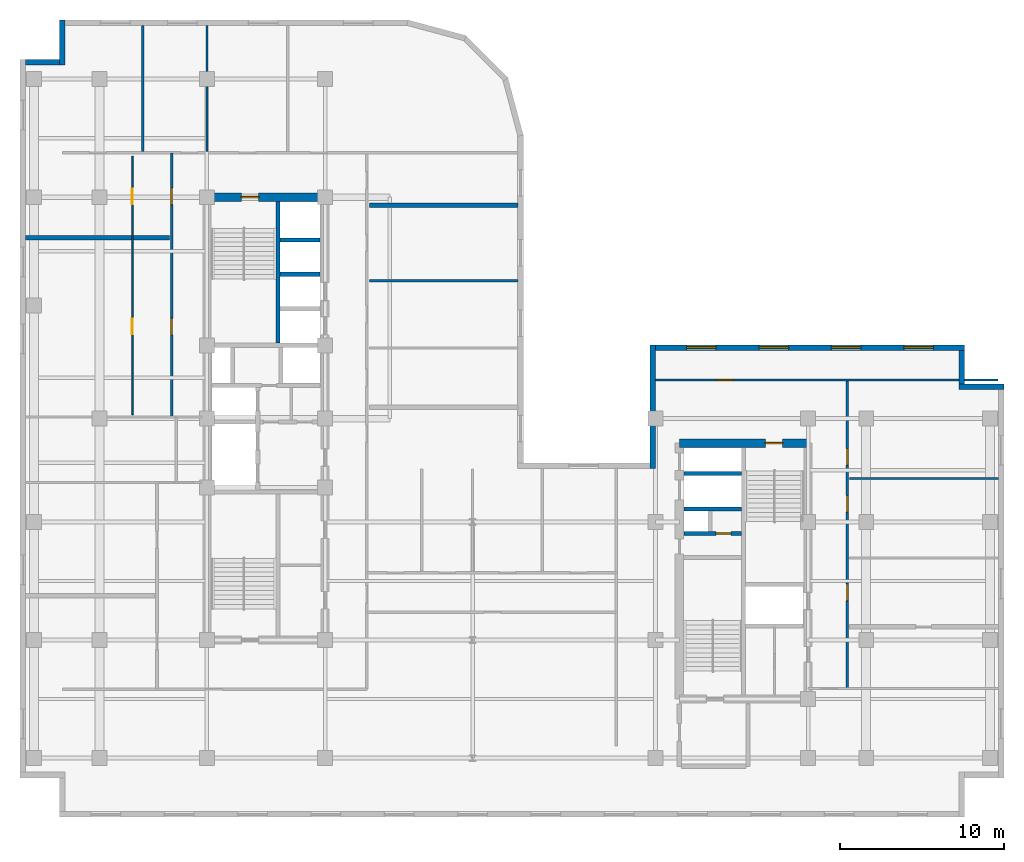
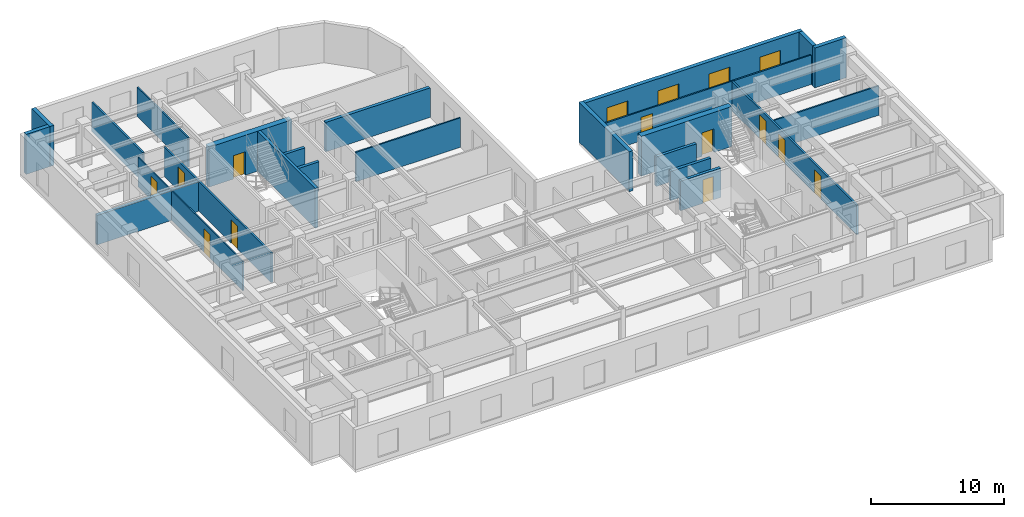
# One storey, part 7 of 11: 24 walls, 11 doors, 4 windows, 15 openings.
"""IFC4 building model written with IfcOpenShell, lengths in metres."""

from ifc_helpers import new_model, entity, si_unit, converted_unit, direction, frame, origin_with_axes, origin_2d_with_axis, place, context, subcontext, project, spatial, polyline, rectangle, outline, extrude, material, layer, layer_set, type_object, element, fill, save


model = new_model("IFC4")

# Units and contexts
model_context = context("Model", 3, precision=1e-05, world=origin_with_axes(), true_north=direction((0.0, 1.0)))
body_context = subcontext(model_context, "Body", "Model", "MODEL_VIEW")
ifc_project = project(units=[si_unit("LENGTHUNIT", "METRE"), si_unit("AREAUNIT", "SQUARE_METRE"), si_unit("VOLUMEUNIT", "CUBIC_METRE"), converted_unit("PLANEANGLEUNIT", "DEGREE", entity("IfcPlaneAngleMeasure", 0.017453292519943295), si_unit("PLANEANGLEUNIT", "RADIAN"), dimensions=[0, 0, 0, 0, 0, 0, 0]), si_unit("MASSUNIT", "GRAM", prefix="KILO"), si_unit("THERMODYNAMICTEMPERATUREUNIT", "KELVIN")], contexts=[model_context])

# Site, building, storey
site_placement = place(None, origin_with_axes())
site = spatial("IfcSite", under=ifc_project, at=site_placement, CompositionType="ELEMENT")
building_placement = place(site_placement, origin_with_axes())
building = spatial("IfcBuilding", under=site, at=building_placement, Name="Varnlund Millrace Tower", CompositionType="ELEMENT")
storey_placement = place(building_placement, frame((0.0, 0.0, 208.2), z_axis=(0.0, 0.0, 1.0), x_axis=(1.0, 0.0, 0.0)))
storey = spatial("IfcBuildingStorey", under=building, at=storey_placement, Name="L51", CompositionType="ELEMENT", Elevation=208.2)

# Wall, opening, door
ifc_material_1 = material(Name="Concrete C70/85", Category="concrete")
ifc_layer_1 = layer(ifc_material_1, 0.5, Name="Concrete C70/85")
ifc_layer_set_1 = layer_set([ifc_layer_1], Name="Concrete C70/85")
wall_type_1 = type_object("IfcWallType", Name="Type-CoreWall-Shear-500-C70", PredefinedType="SHEAR", material=ifc_layer_set_1)
wall_1_placement = place(storey_placement, frame((11.4, 37.8, 0.0), z_axis=(0.0, 0.0, 1.0), x_axis=(1.0, 0.0, 0.0)))
wall_1 = element("IfcWall", 1, at=wall_1_placement, inside=storey, type_object=wall_type_1, Name="Type-CoreWall-Shear-500-C70", PredefinedType="SHEAR", context=body_context, shape_type="SweptSolid", body=[
    extrude(outline(polyline([(0.0, -0.25), (7.2, -0.25), (7.2, 0.25), (0.0, 0.25), (0.0, -0.25)])), origin_with_axes(), (0.0, 0.0, 1.0), 3.66),
])
opening_1_placement = place(wall_1_placement, frame((2.625, 0.0, 0.0), z_axis=(0.0, 0.0, 1.0), x_axis=(1.0, 0.0, 0.0)))
opening_1 = element("IfcOpeningElement", 2, at=opening_1_placement, cuts=wall_1, Name="Opening L51:DR-STA2", PredefinedType="OPENING", context=body_context, shape_type="SweptSolid", body=[
    extrude(rectangle(XDim=1.05, YDim=0.52, at=origin_2d_with_axis()), origin_with_axes(), (0.0, 0.0, 1.0), 2.15),
])
ifc_material_2 = material(Name="Fire-rated hollow steel door", Category="steel")
door_type_1 = type_object("IfcDoorType", Name="Type-FireDoor-Stair-1050X2150", OperationType="NOTDEFINED", PredefinedType="DOOR", material=ifc_material_2)
door_1_placement = place(wall_1_placement, frame((2.625, 0.0, 0.0), z_axis=(0.0, 0.0, 1.0), x_axis=(1.0, 0.0, 0.0)))
door_1 = element("IfcDoor", 3, at=door_1_placement, inside=storey, type_object=door_type_1, Name="Type-FireDoor-Stair-1050X2150", OperationType="SINGLE_SWING_RIGHT", OverallHeight=2.15, OverallWidth=1.05, PredefinedType="DOOR", context=body_context, shape_type="SweptSolid", body=[
    extrude(rectangle(XDim=1.05, YDim=0.09, at=origin_2d_with_axis()), origin_with_axes(), (0.0, 0.0, 1.0), 2.15),
])
fill(opening_1, door_1)

wall_2_placement = place(storey_placement, frame((40.2, 22.8, 0.0), z_axis=(0.0, 0.0, 1.0), x_axis=(1.0, 0.0, 0.0)))
wall_2 = element("IfcWall", 4, at=wall_2_placement, inside=storey, type_object=wall_type_1, Name="Type-CoreWall-Shear-500-C70", PredefinedType="SHEAR", context=body_context, shape_type="SweptSolid", body=[
    extrude(outline(polyline([(0.0, -0.25), (7.85, -0.25), (7.85, 0.25), (0.0, 0.25), (0.0, -0.25)])), origin_with_axes(), (0.0, 0.0, 1.0), 3.66),
])
opening_2_placement = place(wall_2_placement, frame((5.775, 0.0, 0.0), z_axis=(0.0, 0.0, 1.0), x_axis=(1.0, 0.0, 0.0)))
opening_2 = element("IfcOpeningElement", 5, at=opening_2_placement, cuts=wall_2, Name="Opening L51:DR-STB2", PredefinedType="OPENING", context=body_context, shape_type="SweptSolid", body=[
    extrude(rectangle(XDim=1.05, YDim=0.52, at=origin_2d_with_axis()), origin_with_axes(), (0.0, 0.0, 1.0), 2.15),
])
door_2_placement = place(wall_2_placement, frame((5.775, 0.0, 0.0), z_axis=(0.0, 0.0, 1.0), x_axis=(1.0, 0.0, 0.0)))
door_2 = element("IfcDoor", 6, at=door_2_placement, inside=storey, type_object=door_type_1, Name="Type-FireDoor-Stair-1050X2150", OperationType="SINGLE_SWING_RIGHT", OverallHeight=2.15, OverallWidth=1.05, PredefinedType="DOOR", context=body_context, shape_type="SweptSolid", body=[
    extrude(rectangle(XDim=1.05, YDim=0.09, at=origin_2d_with_axis()), origin_with_axes(), (0.0, 0.0, 1.0), 2.15),
])
fill(opening_2, door_2)

# Wall
ifc_material_3 = material(Name="Precast concrete C50/60", Category="concrete")
ifc_layer_2 = layer(ifc_material_3, 0.34, Name="Precast concrete C50/60")
ifc_layer_set_2 = layer_set([ifc_layer_2], Name="Precast concrete C50/60")
wall_type_2 = type_object("IfcWallType", Name="Type-ExtWall-Precast-Upper-340", PredefinedType="SOLIDWALL", material=ifc_layer_set_2)
wall_3_placement = place(storey_placement, frame((38.57, 21.26, 0.0), z_axis=(0.0, 0.0, 1.0), x_axis=(0.0, 1.0, 0.0)))
element("IfcWall", 7, at=wall_3_placement, inside=storey, type_object=wall_type_2, Name="Type-ExtWall-Precast-Upper-340", PredefinedType="SOLIDWALL", context=body_context, shape_type="SweptSolid", body=[
    extrude(outline(polyline([(0.0, -0.17), (7.54, -0.17), (7.54, 0.17), (0.0, 0.17), (0.0, -0.17)])), origin_with_axes(), (0.0, 0.0, 1.0), 3.66),
])

# Wall, openings, windows
wall_4_placement = place(storey_placement, frame((38.74, 28.63, 0.0), z_axis=(0.0, 0.0, 1.0), x_axis=(1.0, 0.0, 0.0)))
wall_4 = element("IfcWall", 8, at=wall_4_placement, inside=storey, type_object=wall_type_2, Name="Type-ExtWall-Precast-Upper-340", PredefinedType="SOLIDWALL", context=body_context, shape_type="SweptSolid", body=[
    extrude(outline(polyline([(0.0, -0.17), (18.86, -0.17), (18.86, 0.17), (0.0, 0.17), (0.0, -0.17)])), origin_with_axes(), (0.0, 0.0, 1.0), 3.66),
])
opening_3_placement = place(wall_4_placement, frame((2.808, 0.0, 0.45), z_axis=(0.0, 0.0, 1.0), x_axis=(1.0, 0.0, 0.0)))
opening_3 = element("IfcOpeningElement", 9, at=opening_3_placement, cuts=wall_4, Name="Opening L51:WN-01", PredefinedType="OPENING", context=body_context, shape_type="SweptSolid", body=[
    extrude(rectangle(XDim=1.8, YDim=0.36, at=origin_2d_with_axis()), origin_with_axes(), (0.0, 0.0, 1.0), 2.1),
])
opening_4_placement = place(wall_4_placement, frame((7.222, 0.0, 0.45), z_axis=(0.0, 0.0, 1.0), x_axis=(1.0, 0.0, 0.0)))
opening_4 = element("IfcOpeningElement", 10, at=opening_4_placement, cuts=wall_4, Name="Opening L51:WN-02", PredefinedType="OPENING", context=body_context, shape_type="SweptSolid", body=[
    extrude(rectangle(XDim=1.8, YDim=0.36, at=origin_2d_with_axis()), origin_with_axes(), (0.0, 0.0, 1.0), 2.1),
])
opening_5_placement = place(wall_4_placement, frame((11.637, 0.0, 0.45), z_axis=(0.0, 0.0, 1.0), x_axis=(1.0, 0.0, 0.0)))
opening_5 = element("IfcOpeningElement", 11, at=opening_5_placement, cuts=wall_4, Name="Opening L51:WN-03", PredefinedType="OPENING", context=body_context, shape_type="SweptSolid", body=[
    extrude(rectangle(XDim=1.8, YDim=0.36, at=origin_2d_with_axis()), origin_with_axes(), (0.0, 0.0, 1.0), 2.1),
])
opening_6_placement = place(wall_4_placement, frame((16.053, 0.0, 0.45), z_axis=(0.0, 0.0, 1.0), x_axis=(1.0, 0.0, 0.0)))
opening_6 = element("IfcOpeningElement", 12, at=opening_6_placement, cuts=wall_4, Name="Opening L51:WN-04", PredefinedType="OPENING", context=body_context, shape_type="SweptSolid", body=[
    extrude(rectangle(XDim=1.8, YDim=0.36, at=origin_2d_with_axis()), origin_with_axes(), (0.0, 0.0, 1.0), 2.1),
])
ifc_material_4 = material(Name="Argon low-e triple glazing in thermally broken bronze frame", Category="glass")
window_type = type_object("IfcWindowType", Name="Type-Window-Punched-1800X2100", PartitioningType="SINGLE_PANEL", PredefinedType="WINDOW", material=ifc_material_4)
window_1_placement = place(wall_4_placement, frame((2.808, 0.0, 0.45), z_axis=(0.0, 0.0, 1.0), x_axis=(1.0, 0.0, 0.0)))
window_1 = element("IfcWindow", 13, at=window_1_placement, inside=storey, type_object=window_type, Name="Type-Window-Punched-1800X2100", OverallHeight=2.1, OverallWidth=1.8, PredefinedType="WINDOW", context=body_context, shape_type="SweptSolid", body=[
    extrude(rectangle(XDim=1.8, YDim=0.09, at=origin_2d_with_axis()), origin_with_axes(), (0.0, 0.0, 1.0), 2.1),
])
fill(opening_3, window_1)
window_2_placement = place(wall_4_placement, frame((7.222, 0.0, 0.45), z_axis=(0.0, 0.0, 1.0), x_axis=(1.0, 0.0, 0.0)))
window_2 = element("IfcWindow", 14, at=window_2_placement, inside=storey, type_object=window_type, Name="Type-Window-Punched-1800X2100", OverallHeight=2.1, OverallWidth=1.8, PredefinedType="WINDOW", context=body_context, shape_type="SweptSolid", body=[
    extrude(rectangle(XDim=1.8, YDim=0.09, at=origin_2d_with_axis()), origin_with_axes(), (0.0, 0.0, 1.0), 2.1),
])
fill(opening_4, window_2)
window_3_placement = place(wall_4_placement, frame((11.637, 0.0, 0.45), z_axis=(0.0, 0.0, 1.0), x_axis=(1.0, 0.0, 0.0)))
window_3 = element("IfcWindow", 15, at=window_3_placement, inside=storey, type_object=window_type, Name="Type-Window-Punched-1800X2100", OverallHeight=2.1, OverallWidth=1.8, PredefinedType="WINDOW", context=body_context, shape_type="SweptSolid", body=[
    extrude(rectangle(XDim=1.8, YDim=0.09, at=origin_2d_with_axis()), origin_with_axes(), (0.0, 0.0, 1.0), 2.1),
])
fill(opening_5, window_3)
window_4_placement = place(wall_4_placement, frame((16.053, 0.0, 0.45), z_axis=(0.0, 0.0, 1.0), x_axis=(1.0, 0.0, 0.0)))
window_4 = element("IfcWindow", 16, at=window_4_placement, inside=storey, type_object=window_type, Name="Type-Window-Punched-1800X2100", OverallHeight=2.1, OverallWidth=1.8, PredefinedType="WINDOW", context=body_context, shape_type="SweptSolid", body=[
    extrude(rectangle(XDim=1.8, YDim=0.09, at=origin_2d_with_axis()), origin_with_axes(), (0.0, 0.0, 1.0), 2.1),
])
fill(opening_6, window_4)

# Walls
wall_5_placement = place(storey_placement, frame((57.43, 28.46, 0.0), z_axis=(0.0, 0.0, 1.0), x_axis=(0.0, -1.0, 0.0)))
element("IfcWall", 17, at=wall_5_placement, inside=storey, type_object=wall_type_2, Name="Type-ExtWall-Precast-Upper-340", PredefinedType="SOLIDWALL", context=body_context, shape_type="SweptSolid", body=[
    extrude(outline(polyline([(0.0, -0.17), (2.06, -0.17), (2.06, 0.17), (0.0, 0.17), (0.0, -0.17)])), origin_with_axes(), (0.0, 0.0, 1.0), 3.66),
])
wall_6_placement = place(storey_placement, frame((57.26, 26.23, 0.0), z_axis=(0.0, 0.0, 1.0), x_axis=(1.0, 0.0, 0.0)))
element("IfcWall", 18, at=wall_6_placement, inside=storey, type_object=wall_type_2, Name="Type-ExtWall-Precast-Upper-340", PredefinedType="SOLIDWALL", context=body_context, shape_type="SweptSolid", body=[
    extrude(outline(polyline([(0.0, -0.17), (2.74, -0.17), (2.74, 0.17), (0.0, 0.17), (0.0, -0.17)])), origin_with_axes(), (0.0, 0.0, 1.0), 3.66),
])
wall_7_placement = place(storey_placement, frame((0.34, 46.03, 0.0), z_axis=(0.0, 0.0, 1.0), x_axis=(1.0, 0.0, 0.0)))
element("IfcWall", 19, at=wall_7_placement, inside=storey, type_object=wall_type_2, Name="Type-ExtWall-Precast-Upper-340", PredefinedType="SOLIDWALL", context=body_context, shape_type="SweptSolid", body=[
    extrude(outline(polyline([(0.0, -0.17), (2.06, -0.17), (2.06, 0.17), (0.0, 0.17), (0.0, -0.17)])), origin_with_axes(), (0.0, 0.0, 1.0), 3.66),
])
wall_8_placement = place(storey_placement, frame((2.57, 45.86, 0.0), z_axis=(0.0, 0.0, 1.0), x_axis=(0.0, 1.0, 0.0)))
element("IfcWall", 20, at=wall_8_placement, inside=storey, type_object=wall_type_2, Name="Type-ExtWall-Precast-Upper-340", PredefinedType="SOLIDWALL", context=body_context, shape_type="SweptSolid", body=[
    extrude(outline(polyline([(0.0, -0.17), (2.74, -0.17), (2.74, 0.17), (0.0, 0.17), (0.0, -0.17)])), origin_with_axes(), (0.0, 0.0, 1.0), 3.66),
])
ifc_material_5 = material(Name="Double-stud STC-60 conference acoustic partition", Category="gypsum")
ifc_layer_3 = layer(ifc_material_5, 0.28, Name="Double-stud STC-60 conference acoustic partition")
ifc_layer_set_3 = layer_set([ifc_layer_3], Name="Double-stud STC-60 conference acoustic partition")
wall_type_3 = type_object("IfcWallType", Name="Type-Partition-Acoustic-280", PredefinedType="PARTITIONING", material=ifc_layer_set_3)
wall_9_placement = place(storey_placement, frame((0.335, 35.34, 0.0), z_axis=(0.0, 0.0, 1.0), x_axis=(1.0, 0.0, 0.0)))
element("IfcWall", 21, at=wall_9_placement, inside=storey, type_object=wall_type_3, Name="Type-Partition-Acoustic-280", PredefinedType="PARTITIONING", context=body_context, shape_type="SweptSolid", body=[
    extrude(outline(polyline([(0.0, -0.14), (8.795, -0.14), (8.795, 0.14), (0.0, 0.14), (0.0, -0.14)])), origin_with_axes(), (0.0, 0.0, 1.0), 2.7),
])
wall_10_placement = place(storey_placement, frame((21.3, 37.311, 0.0), z_axis=(0.0, 0.0, 1.0), x_axis=(1.0, 0.0, 0.0)))
element("IfcWall", 22, at=wall_10_placement, inside=storey, type_object=wall_type_3, Name="Type-Partition-Acoustic-280", PredefinedType="PARTITIONING", context=body_context, shape_type="SweptSolid", body=[
    extrude(outline(polyline([(0.0, -0.14), (9.051, -0.14), (9.051, 0.14), (0.0, 0.14), (0.0, -0.14)])), origin_with_axes(), (0.0, 0.0, 1.0), 2.7),
])

# Wall, openings, doors
ifc_material_6 = material(Name="Fire-rated gypsum board on cold-formed steel framing", Category="steel")
ifc_layer_4 = layer(ifc_material_6, 0.16, Name="Fire-rated gypsum board on cold-formed steel framing")
ifc_layer_set_4 = layer_set([ifc_layer_4], Name="Fire-rated gypsum board on cold-formed steel framing")
wall_type_4 = type_object("IfcWallType", Name="Type-Partition-Corridor-160", PredefinedType="PARTITIONING", material=ifc_layer_set_4)
wall_11_placement = place(storey_placement, frame((9.25, 24.4, 0.0), z_axis=(0.0, 0.0, 1.0), x_axis=(0.0, 1.0, 0.0)))
wall_11 = element("IfcWall", 23, at=wall_11_placement, inside=storey, type_object=wall_type_4, Name="Type-Partition-Corridor-160", PredefinedType="PARTITIONING", context=body_context, shape_type="SweptSolid", body=[
    extrude(outline(polyline([(0.0, -0.08), (16.1, -0.08), (16.1, 0.08), (0.0, 0.08), (0.0, -0.08)])), origin_with_axes(), (0.0, 0.0, 1.0), 2.7),
])
opening_7_placement = place(wall_11_placement, frame((5.51, 0.0, 0.0), z_axis=(0.0, 0.0, 1.0), x_axis=(1.0, 0.0, 0.0)))
opening_7 = element("IfcOpeningElement", 24, at=opening_7_placement, cuts=wall_11, Name="Opening L51:DR-WN-01", PredefinedType="OPENING", context=body_context, shape_type="SweptSolid", body=[
    extrude(rectangle(XDim=1.0, YDim=0.18, at=origin_2d_with_axis()), origin_with_axes(), (0.0, 0.0, 1.0), 2.15),
])
opening_8_placement = place(wall_11_placement, frame((13.455, 0.0, 0.0), z_axis=(0.0, 0.0, 1.0), x_axis=(1.0, 0.0, 0.0)))
opening_8 = element("IfcOpeningElement", 25, at=opening_8_placement, cuts=wall_11, Name="Opening L51:DR-WN-02", PredefinedType="OPENING", context=body_context, shape_type="SweptSolid", body=[
    extrude(rectangle(XDim=1.0, YDim=0.18, at=origin_2d_with_axis()), origin_with_axes(), (0.0, 0.0, 1.0), 2.15),
])
ifc_material_7 = material(Name="Solid-core white oak and bronze frame door")
door_type_2 = type_object("IfcDoorType", Name="Type-IntDoor-Office-1000X2150", OperationType="NOTDEFINED", PredefinedType="DOOR", material=ifc_material_7)
door_3_placement = place(wall_11_placement, frame((5.51, 0.0, 0.0), z_axis=(0.0, 0.0, 1.0), x_axis=(1.0, 0.0, 0.0)))
door_3 = element("IfcDoor", 26, at=door_3_placement, inside=storey, type_object=door_type_2, Name="Type-IntDoor-Office-1000X2150", OperationType="SINGLE_SWING_LEFT", OverallHeight=2.15, OverallWidth=1.0, PredefinedType="DOOR", context=body_context, shape_type="SweptSolid", body=[
    extrude(rectangle(XDim=1.0, YDim=0.09, at=origin_2d_with_axis()), origin_with_axes(), (0.0, 0.0, 1.0), 2.15),
])
fill(opening_7, door_3)
door_4_placement = place(wall_11_placement, frame((13.455, 0.0, 0.0), z_axis=(0.0, 0.0, 1.0), x_axis=(1.0, 0.0, 0.0)))
door_4 = element("IfcDoor", 27, at=door_4_placement, inside=storey, type_object=door_type_2, Name="Type-IntDoor-Office-1000X2150", OperationType="SINGLE_SWING_RIGHT", OverallHeight=2.15, OverallWidth=1.0, PredefinedType="DOOR", context=body_context, shape_type="SweptSolid", body=[
    extrude(rectangle(XDim=1.0, YDim=0.09, at=origin_2d_with_axis()), origin_with_axes(), (0.0, 0.0, 1.0), 2.15),
])
fill(opening_8, door_4)

wall_12_placement = place(storey_placement, frame((50.45, 7.85, 0.0), z_axis=(0.0, 0.0, 1.0), x_axis=(0.0, 1.0, 0.0)))
wall_12 = element("IfcWall", 28, at=wall_12_placement, inside=storey, type_object=wall_type_4, Name="Type-Partition-Corridor-160", PredefinedType="PARTITIONING", context=body_context, shape_type="SweptSolid", body=[
    extrude(outline(polyline([(0.0, -0.08), (18.8, -0.08), (18.8, 0.08), (0.0, 0.08), (0.0, -0.08)])), origin_with_axes(), (0.0, 0.0, 1.0), 2.7),
])
opening_9_placement = place(wall_12_placement, frame((5.852, 0.0, 0.0), z_axis=(0.0, 0.0, 1.0), x_axis=(1.0, 0.0, 0.0)))
opening_9 = element("IfcOpeningElement", 29, at=opening_9_placement, cuts=wall_12, Name="Opening L51:DR-WB-02", PredefinedType="OPENING", context=body_context, shape_type="SweptSolid", body=[
    extrude(rectangle(XDim=1.0, YDim=0.18, at=origin_2d_with_axis()), origin_with_axes(), (0.0, 0.0, 1.0), 2.15),
])
opening_10_placement = place(wall_12_placement, frame((11.249, 0.0, 0.0), z_axis=(0.0, 0.0, 1.0), x_axis=(1.0, 0.0, 0.0)))
opening_10 = element("IfcOpeningElement", 30, at=opening_10_placement, cuts=wall_12, Name="Opening L51:DR-WB-03", PredefinedType="OPENING", context=body_context, shape_type="SweptSolid", body=[
    extrude(rectangle(XDim=1.0, YDim=0.18, at=origin_2d_with_axis()), origin_with_axes(), (0.0, 0.0, 1.0), 2.15),
])
opening_11_placement = place(wall_12_placement, frame((14.113, 0.0, 0.0), z_axis=(0.0, 0.0, 1.0), x_axis=(1.0, 0.0, 0.0)))
opening_11 = element("IfcOpeningElement", 31, at=opening_11_placement, cuts=wall_12, Name="Opening L51:DR-WB-04", PredefinedType="OPENING", context=body_context, shape_type="SweptSolid", body=[
    extrude(rectangle(XDim=1.0, YDim=0.18, at=origin_2d_with_axis()), origin_with_axes(), (0.0, 0.0, 1.0), 2.15),
])
door_5_placement = place(wall_12_placement, frame((5.852, 0.0, 0.0), z_axis=(0.0, 0.0, 1.0), x_axis=(1.0, 0.0, 0.0)))
door_5 = element("IfcDoor", 32, at=door_5_placement, inside=storey, type_object=door_type_2, Name="Type-IntDoor-Office-1000X2150", OperationType="SINGLE_SWING_RIGHT", OverallHeight=2.15, OverallWidth=1.0, PredefinedType="DOOR", context=body_context, shape_type="SweptSolid", body=[
    extrude(rectangle(XDim=1.0, YDim=0.09, at=origin_2d_with_axis()), origin_with_axes(), (0.0, 0.0, 1.0), 2.15),
])
fill(opening_9, door_5)
door_6_placement = place(wall_12_placement, frame((11.249, 0.0, 0.0), z_axis=(0.0, 0.0, 1.0), x_axis=(1.0, 0.0, 0.0)))
door_6 = element("IfcDoor", 33, at=door_6_placement, inside=storey, type_object=door_type_2, Name="Type-IntDoor-Office-1000X2150", OperationType="SINGLE_SWING_LEFT", OverallHeight=2.15, OverallWidth=1.0, PredefinedType="DOOR", context=body_context, shape_type="SweptSolid", body=[
    extrude(rectangle(XDim=1.0, YDim=0.09, at=origin_2d_with_axis()), origin_with_axes(), (0.0, 0.0, 1.0), 2.15),
])
fill(opening_10, door_6)
door_7_placement = place(wall_12_placement, frame((14.113, 0.0, 0.0), z_axis=(0.0, 0.0, 1.0), x_axis=(1.0, 0.0, 0.0)))
door_7 = element("IfcDoor", 34, at=door_7_placement, inside=storey, type_object=door_type_2, Name="Type-IntDoor-Office-1000X2150", OperationType="SINGLE_SWING_RIGHT", OverallHeight=2.15, OverallWidth=1.0, PredefinedType="DOOR", context=body_context, shape_type="SweptSolid", body=[
    extrude(rectangle(XDim=1.0, YDim=0.09, at=origin_2d_with_axis()), origin_with_axes(), (0.0, 0.0, 1.0), 2.15),
])
fill(opening_11, door_7)

# Wall
ifc_material_8 = material(Name="Acoustic STC-50 gypsum board partition", Category="gypsum")
ifc_layer_5 = layer(ifc_material_8, 0.15, Name="Acoustic STC-50 gypsum board partition")
ifc_layer_set_5 = layer_set([ifc_layer_5], Name="Acoustic STC-50 gypsum board partition")
wall_type_5 = type_object("IfcWallType", Name="Type-Partition-Demising-150", PredefinedType="PARTITIONING", material=ifc_layer_set_5)
wall_13_placement = place(storey_placement, frame((7.486, 40.6, 0.0), z_axis=(0.0, 0.0, 1.0), x_axis=(0.0, 1.0, 0.0)))
element("IfcWall", 35, at=wall_13_placement, inside=storey, type_object=wall_type_5, Name="Type-Partition-Demising-150", PredefinedType="PARTITIONING", context=body_context, shape_type="SweptSolid", body=[
    extrude(outline(polyline([(0.0, -0.075), (7.665, -0.075), (7.665, 0.075), (0.0, 0.075), (0.0, -0.075)])), origin_with_axes(), (0.0, 0.0, 1.0), 2.7),
])

# Wall, openings, doors
ifc_material_9 = material(Name="Architectural bronze and acoustic glass office front", Category="glass")
ifc_layer_6 = layer(ifc_material_9, 0.1, Name="Architectural bronze and acoustic glass office front")
ifc_layer_set_6 = layer_set([ifc_layer_6], Name="Architectural bronze and acoustic glass office front")
wall_type_6 = type_object("IfcWallType", Name="Type-Partition-Glazed-100", PredefinedType="PARTITIONING", material=ifc_layer_set_6)
wall_14_placement = place(storey_placement, frame((6.85, 24.55, 0.0), z_axis=(0.0, 0.0, 1.0), x_axis=(0.0, 1.0, 0.0)))
wall_14 = element("IfcWall", 36, at=wall_14_placement, inside=storey, type_object=wall_type_6, Name="Type-Partition-Glazed-100", PredefinedType="PARTITIONING", context=body_context, shape_type="SweptSolid", body=[
    extrude(outline(polyline([(0.0, -0.05), (15.75, -0.05), (15.75, 0.05), (0.0, 0.05), (0.0, -0.05)])), origin_with_axes(), (0.0, 0.0, 1.0), 2.7),
])
opening_12_placement = place(wall_14_placement, frame((5.36, 0.0, 0.0), z_axis=(0.0, 0.0, 1.0), x_axis=(1.0, 0.0, 0.0)))
opening_12 = element("IfcOpeningElement", 37, at=opening_12_placement, cuts=wall_14, Name="Opening L51:DR-WN-S01", PredefinedType="OPENING", context=body_context, shape_type="SweptSolid", body=[
    extrude(rectangle(XDim=0.95, YDim=0.12, at=origin_2d_with_axis()), origin_with_axes(), (0.0, 0.0, 1.0), 2.15),
])
opening_13_placement = place(wall_14_placement, frame((13.305, 0.0, 0.0), z_axis=(0.0, 0.0, 1.0), x_axis=(1.0, 0.0, 0.0)))
opening_13 = element("IfcOpeningElement", 38, at=opening_13_placement, cuts=wall_14, Name="Opening L51:DR-WN-S02", PredefinedType="OPENING", context=body_context, shape_type="SweptSolid", body=[
    extrude(rectangle(XDim=0.95, YDim=0.12, at=origin_2d_with_axis()), origin_with_axes(), (0.0, 0.0, 1.0), 2.15),
])
ifc_material_10 = material(Name="Solid-core acoustic office door")
door_type_3 = type_object("IfcDoorType", Name="Type-IntDoor-Tenant-950X2150", OperationType="NOTDEFINED", PredefinedType="DOOR", material=ifc_material_10)
door_8_placement = place(wall_14_placement, frame((5.36, 0.0, 0.0), z_axis=(0.0, 0.0, 1.0), x_axis=(1.0, 0.0, 0.0)))
door_8 = element("IfcDoor", 39, at=door_8_placement, inside=storey, type_object=door_type_3, Name="Type-IntDoor-Tenant-950X2150", OperationType="SINGLE_SWING_LEFT", OverallHeight=2.15, OverallWidth=0.95, PredefinedType="DOOR", context=body_context, shape_type="SweptSolid", body=[
    extrude(rectangle(XDim=0.95, YDim=0.06, at=origin_2d_with_axis()), origin_with_axes(), (0.0, 0.0, 1.0), 2.15),
])
fill(opening_12, door_8)
door_9_placement = place(wall_14_placement, frame((13.305, 0.0, 0.0), z_axis=(0.0, 0.0, 1.0), x_axis=(1.0, 0.0, 0.0)))
door_9 = element("IfcDoor", 40, at=door_9_placement, inside=storey, type_object=door_type_3, Name="Type-IntDoor-Tenant-950X2150", OperationType="SINGLE_SWING_LEFT", OverallHeight=2.15, OverallWidth=0.95, PredefinedType="DOOR", context=body_context, shape_type="SweptSolid", body=[
    extrude(rectangle(XDim=0.95, YDim=0.06, at=origin_2d_with_axis()), origin_with_axes(), (0.0, 0.0, 1.0), 2.15),
])
fill(opening_13, door_9)

# Walls
ifc_material_11 = material(Name="Gypsum board tenant partition", Category="gypsum")
ifc_layer_7 = layer(ifc_material_11, 0.125, Name="Gypsum board tenant partition")
ifc_layer_set_7 = layer_set([ifc_layer_7], Name="Gypsum board tenant partition")
wall_type_7 = type_object("IfcWallType", Name="Type-Partition-Tenant-125", PredefinedType="PARTITIONING", material=ifc_layer_set_7)
wall_15_placement = place(storey_placement, frame((11.4, 40.6, 0.0), z_axis=(0.0, 0.0, 1.0), x_axis=(0.0, 1.0, 0.0)))
element("IfcWall", 41, at=wall_15_placement, inside=storey, type_object=wall_type_7, Name="Type-Partition-Tenant-125", PredefinedType="PARTITIONING", context=body_context, shape_type="SweptSolid", body=[
    extrude(outline(polyline([(0.0, -0.0625), (7.665, -0.0625), (7.665, 0.0625), (0.0, 0.0625), (0.0, -0.0625)])), origin_with_axes(), (0.0, 0.0, 1.0), 2.7),
])
wall_16_placement = place(storey_placement, frame((21.3, 32.705, 0.0), z_axis=(0.0, 0.0, 1.0), x_axis=(1.0, 0.0, 0.0)))
element("IfcWall", 42, at=wall_16_placement, inside=storey, type_object=wall_type_7, Name="Type-Partition-Tenant-125", PredefinedType="PARTITIONING", context=body_context, shape_type="SweptSolid", body=[
    extrude(outline(polyline([(0.0, -0.0625), (9.051, -0.0625), (9.051, 0.0625), (0.0, 0.0625), (0.0, -0.0625)])), origin_with_axes(), (0.0, 0.0, 1.0), 2.7),
])

# Wall, opening, door
wall_17_placement = place(storey_placement, frame((38.735, 26.65, 0.0), z_axis=(0.0, 0.0, 1.0), x_axis=(1.0, 0.0, 0.0)))
wall_17 = element("IfcWall", 43, at=wall_17_placement, inside=storey, type_object=wall_type_7, Name="Type-Partition-Tenant-125", PredefinedType="PARTITIONING", context=body_context, shape_type="SweptSolid", body=[
    extrude(outline(polyline([(0.0, -0.0625), (20.905, -0.0625), (20.905, 0.0625), (0.0, 0.0625), (0.0, -0.0625)])), origin_with_axes(), (0.0, 0.0, 1.0), 2.7),
])
opening_14_placement = place(wall_17_placement, frame((4.265, 0.0, 0.0), z_axis=(0.0, 0.0, 1.0), x_axis=(1.0, 0.0, 0.0)))
opening_14 = element("IfcOpeningElement", 44, at=opening_14_placement, cuts=wall_17, Name="Opening L51:DR-WBN-01", PredefinedType="OPENING", context=body_context, shape_type="SweptSolid", body=[
    extrude(rectangle(XDim=1.0, YDim=0.145, at=origin_2d_with_axis()), origin_with_axes(), (0.0, 0.0, 1.0), 2.15),
])
door_10_placement = place(wall_17_placement, frame((4.265, 0.0, 0.0), z_axis=(0.0, 0.0, 1.0), x_axis=(1.0, 0.0, 0.0)))
door_10 = element("IfcDoor", 45, at=door_10_placement, inside=storey, type_object=door_type_2, Name="Type-IntDoor-Office-1000X2150", OperationType="SINGLE_SWING_RIGHT", OverallHeight=2.15, OverallWidth=1.0, PredefinedType="DOOR", context=body_context, shape_type="SweptSolid", body=[
    extrude(rectangle(XDim=1.0, YDim=0.075, at=origin_2d_with_axis()), origin_with_axes(), (0.0, 0.0, 1.0), 2.15),
])
fill(opening_14, door_10)

# Wall
wall_18_placement = place(storey_placement, frame((50.57, 20.636, 0.0), z_axis=(0.0, 0.0, 1.0), x_axis=(1.0, 0.0, 0.0)))
element("IfcWall", 46, at=wall_18_placement, inside=storey, type_object=wall_type_7, Name="Type-Partition-Tenant-125", PredefinedType="PARTITIONING", context=body_context, shape_type="SweptSolid", body=[
    extrude(outline(polyline([(0.0, -0.0625), (9.095, -0.0625), (9.095, 0.0625), (0.0, 0.0625), (0.0, -0.0625)])), origin_with_axes(), (0.0, 0.0, 1.0), 2.7),
])

# Wall, opening, door
ifc_material_12 = material(Name="Concrete C60/75", Category="concrete")
ifc_layer_8 = layer(ifc_material_12, 0.25, Name="Concrete C60/75")
ifc_layer_set_8 = layer_set([ifc_layer_8], Name="Concrete C60/75")
wall_type_8 = type_object("IfcWallType", Name="Type-ShaftWall-Fire-250", PredefinedType="SOLIDWALL", material=ifc_layer_set_8)
wall_19_placement = place(storey_placement, frame((40.5, 17.3, 0.0), z_axis=(0.0, 0.0, 1.0), x_axis=(1.0, 0.0, 0.0)))
wall_19 = element("IfcWall", 47, at=wall_19_placement, inside=storey, type_object=wall_type_8, Name="Type-ShaftWall-Fire-250", PredefinedType="SOLIDWALL", context=body_context, shape_type="SweptSolid", body=[
    extrude(outline(polyline([(0.0, -0.125), (3.5, -0.125), (3.5, 0.125), (0.0, 0.125), (0.0, -0.125)])), origin_with_axes(), (0.0, 0.0, 1.0), 2.7),
])
opening_15_placement = place(wall_19_placement, frame((2.4, 0.0, 0.0), z_axis=(0.0, 0.0, 1.0), x_axis=(1.0, 0.0, 0.0)))
opening_15 = element("IfcOpeningElement", 48, at=opening_15_placement, cuts=wall_19, Name="Opening L51:DR-CB-ELC", PredefinedType="OPENING", context=body_context, shape_type="SweptSolid", body=[
    extrude(rectangle(XDim=0.9, YDim=0.27, at=origin_2d_with_axis()), origin_with_axes(), (0.0, 0.0, 1.0), 2.15),
])
ifc_material_13 = material(Name="Fire-rated hollow steel service closet door", Category="steel")
door_type_4 = type_object("IfcDoorType", Name="Type-FireDoor-Closet-900X2150", OperationType="NOTDEFINED", PredefinedType="DOOR", material=ifc_material_13)
door_11_placement = place(wall_19_placement, frame((2.4, 0.0, 0.0), z_axis=(0.0, 0.0, 1.0), x_axis=(1.0, 0.0, 0.0)))
door_11 = element("IfcDoor", 49, at=door_11_placement, inside=storey, type_object=door_type_4, Name="Type-FireDoor-Closet-900X2150", OperationType="SINGLE_SWING_LEFT", OverallHeight=2.15, OverallWidth=0.9, PredefinedType="DOOR", context=body_context, shape_type="SweptSolid", body=[
    extrude(rectangle(XDim=0.9, YDim=0.09, at=origin_2d_with_axis()), origin_with_axes(), (0.0, 0.0, 1.0), 2.15),
])
fill(opening_15, door_11)

# Walls
wall_20_placement = place(storey_placement, frame((40.5, 18.8, 0.0), z_axis=(0.0, 0.0, 1.0), x_axis=(1.0, 0.0, 0.0)))
element("IfcWall", 50, at=wall_20_placement, inside=storey, type_object=wall_type_8, Name="Type-ShaftWall-Fire-250", PredefinedType="SOLIDWALL", context=body_context, shape_type="SweptSolid", body=[
    extrude(outline(polyline([(0.0, -0.125), (3.5, -0.125), (3.5, 0.125), (0.0, 0.125), (0.0, -0.125)])), origin_with_axes(), (0.0, 0.0, 1.0), 2.7),
])
for number, where, z_axis, x_axis, name in (
    (51, (15.84, 33.1, 0.0), (0.0, 0.0, 1.0), (1.0, 0.0, 0.0), "Type-ShaftWall-Fire-250"),
    (52, (15.84, 35.2, 0.0), (0.0, 0.0, 1.0), (1.0, 0.0, 0.0), "Type-ShaftWall-Fire-250"),
):
    element("IfcWall", number, at=place(storey_placement, frame(where, z_axis=z_axis, x_axis=x_axis)), inside=storey, type_object=wall_type_8, Name=name, PredefinedType="SOLIDWALL", context=body_context, shape_type="SweptSolid", body=[
        extrude(outline(polyline([(0.0, -0.125), (2.46, -0.125), (2.46, 0.125), (0.0, 0.125), (0.0, -0.125)])), origin_with_axes(), (0.0, 0.0, 1.0), 2.7),
    ])
wall_21_placement = place(storey_placement, frame((40.5, 20.96, 0.0), z_axis=(0.0, 0.0, 1.0), x_axis=(1.0, 0.0, 0.0)))
element("IfcWall", 53, at=wall_21_placement, inside=storey, type_object=wall_type_8, Name="Type-ShaftWall-Fire-250", PredefinedType="SOLIDWALL", context=body_context, shape_type="SweptSolid", body=[
    extrude(outline(polyline([(0.0, -0.125), (3.5, -0.125), (3.5, 0.125), (0.0, 0.125), (0.0, -0.125)])), origin_with_axes(), (0.0, 0.0, 1.0), 2.7),
])
wall_type_9 = type_object("IfcWallType", Name="Type-StairWall-Shear-250", PredefinedType="SHEAR", material=ifc_layer_set_8)
wall_22_placement = place(storey_placement, frame((15.725, 28.9, 0.0), z_axis=(0.0, 0.0, 1.0), x_axis=(0.0, 1.0, 0.0)))
element("IfcWall", 54, at=wall_22_placement, inside=storey, type_object=wall_type_9, Name="Type-StairWall-Shear-250", PredefinedType="SHEAR", context=body_context, shape_type="SweptSolid", body=[
    extrude(outline(polyline([(0.0, -0.125), (8.65, -0.125), (8.65, 0.125), (0.0, 0.125), (0.0, -0.125)])), origin_with_axes(), (0.0, 0.0, 1.0), 3.66),
])

save(model, "model.ifc")
